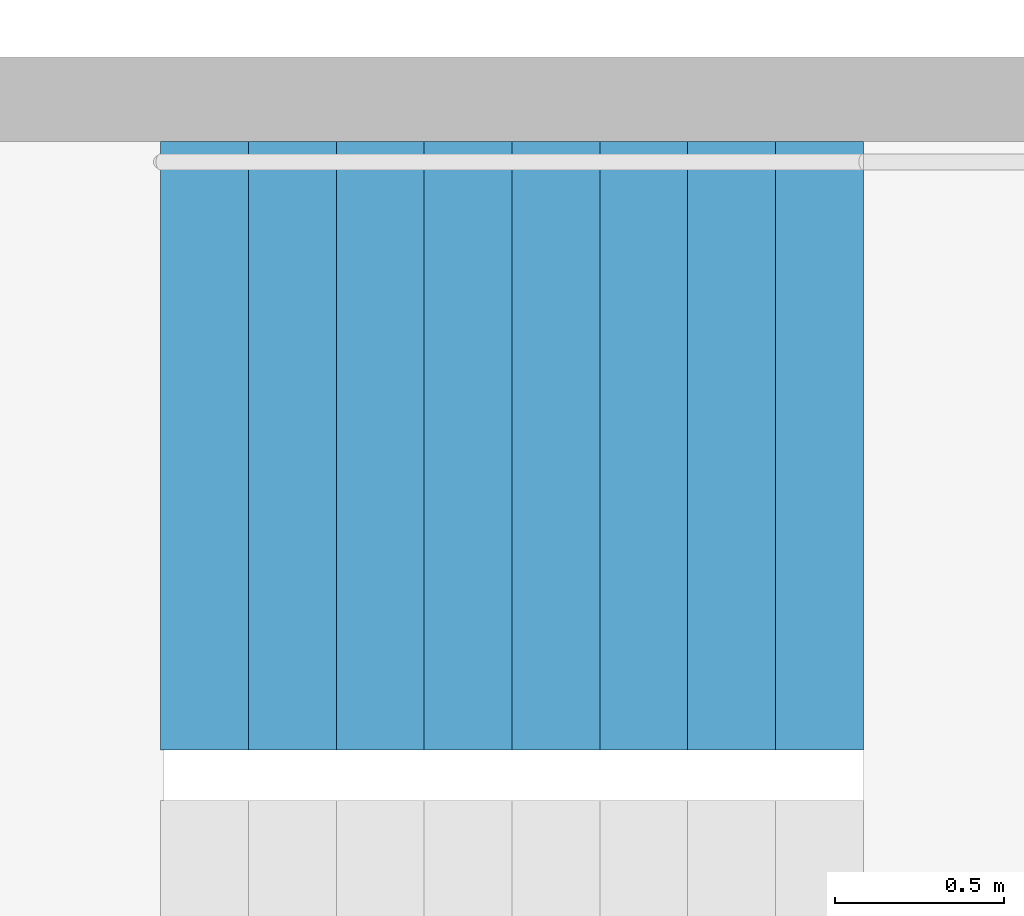
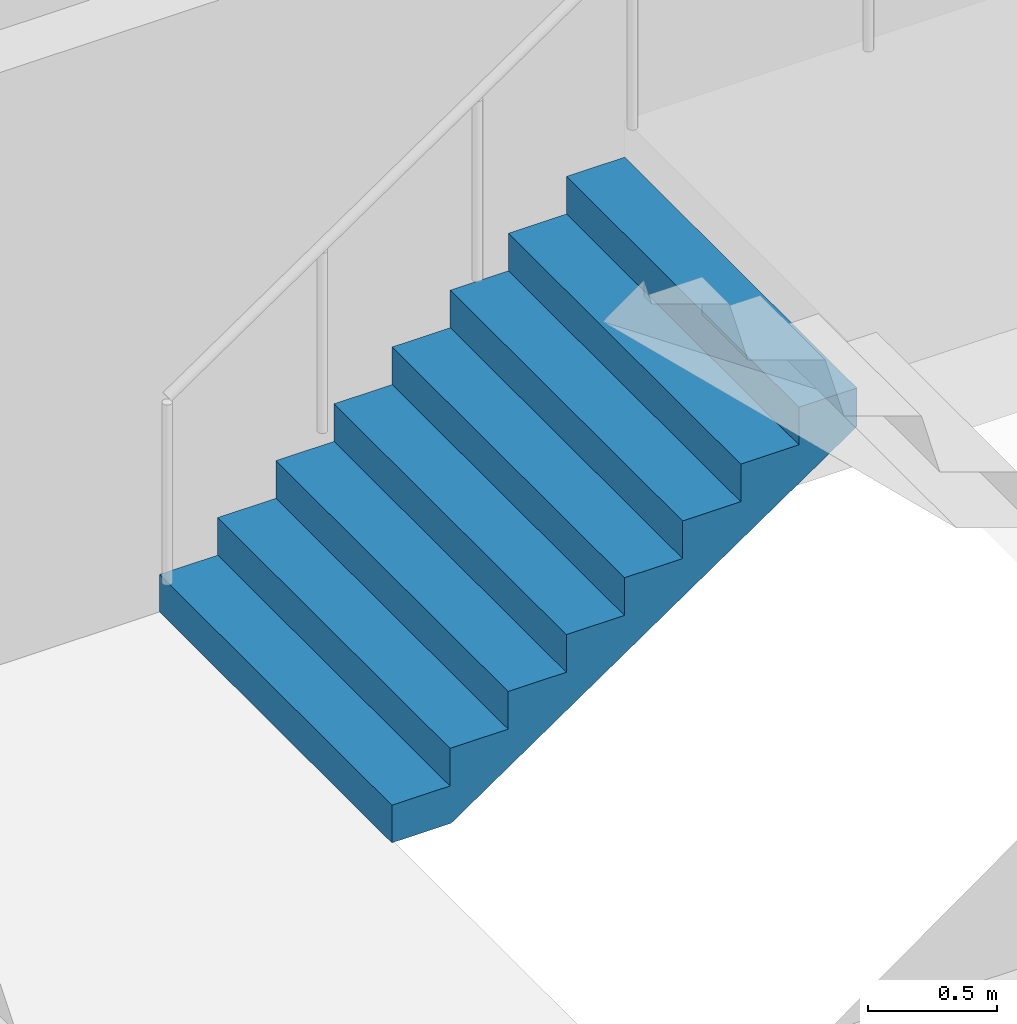
# One storey, part 27 of 37: 1 stair flight, 1 element without a shape of its own.
"""IFC4 building model written with IfcOpenShell, lengths in metres."""

from ifc_helpers import new_model, si_unit, direction, frame, origin, place, context, subcontext, project, spatial, triangles, material, type_object, element, aggregate, save


model = new_model("IFC4")

# Units and contexts
model_context = context("Model", 3, precision=1e-05, world=origin(), true_north=direction((0.0, 1.0)))
body_context = subcontext(model_context, "Body", "Model", "MODEL_VIEW")
ifc_project = project(units=[si_unit("LENGTHUNIT", "METRE"), si_unit("AREAUNIT", "SQUARE_METRE"), si_unit("VOLUMEUNIT", "CUBIC_METRE"), si_unit("PLANEANGLEUNIT", "RADIAN"), si_unit("MASSUNIT", "GRAM", prefix="KILO")], contexts=[model_context])

# Site, building, storey
site_placement = place(None, origin())
site = spatial("IfcSite", under=ifc_project, at=site_placement, CompositionType="ELEMENT")
building_placement = place(site_placement, origin())
building = spatial("IfcBuilding", under=site, at=building_placement, Name="Hakoniwa Tower and Hamabe Station Hall", CompositionType="ELEMENT")
storey_placement = place(building_placement, frame((0.0, 0.0, 39.0)))
storey = spatial("IfcBuildingStorey", under=building, at=storey_placement, Name="L10", CompositionType="ELEMENT", Elevation=39.0)

# Stair, stair flight
ifc_material_1 = material(Name="Concrete C40", Category="concrete")
stair_type = type_object("IfcStairType", Name="ESCAPE STAIR 1800", PredefinedType="HALF_TURN_STAIR", material=ifc_material_1)
stair_placement = place(storey_placement, origin())
stair = element("IfcStair", 1, at=stair_placement, inside=storey, type_object=stair_type, Name="Escape stair ST-4 L10", PredefinedType="HALF_TURN_STAIR")
ifc_material_2 = material(Name="Concrete C40", Category="concrete")
stair_flight_type = type_object("IfcStairFlightType", Name="STAIR FLIGHT 1800", PredefinedType="STRAIGHT", material=ifc_material_2)
stair_flight_placement = place(storey_placement, frame((23.39990234375, -4.64990234375, 0.0), z_axis=(0.0, 0.0, 1.0), x_axis=(1.0, 0.0, 0.0)))
stair_flight = element("IfcStairFlight", 2, at=stair_flight_placement, type_object=stair_flight_type, Name="ST-4 flight 1", NumberOfRisers=9, NumberOfTreads=8, PredefinedType="STRAIGHT", RiserHeight=0.177777778, TreadLength=0.26, context=body_context, shape_type="Tessellation", body=[
    triangles([(0.0, 0.89990234375, 0.0), (0.260009765625, 0.89990234375, 0.0), (0.265625, 0.89990234375, 0.0), (0.52001953125, 0.89990234375, 0.174072265625), (0.780029296875, 0.89990234375, 0.351806640625), (1.0400390625, 0.89990234375, 0.529541015625), (1.300048828125, 0.89990234375, 0.707275390625), (1.56005859375, 0.89990234375, 0.885009765625), (1.820068359375, 0.89990234375, 1.062744140625), (2.080078125, 0.89990234375, 1.24072265625), (2.080078125, 0.89990234375, 1.422119140625), (1.820068359375, 0.89990234375, 1.422119140625), (1.820068359375, 0.89990234375, 1.244384765625), (1.56005859375, 0.89990234375, 1.244384765625), (1.56005859375, 0.89990234375, 1.066650390625), (1.300048828125, 0.89990234375, 1.066650390625), (1.300048828125, 0.89990234375, 0.888916015625), (1.0400390625, 0.89990234375, 0.888916015625), (1.0400390625, 0.89990234375, 0.711181640625), (0.780029296875, 0.89990234375, 0.711181640625), (0.780029296875, 0.89990234375, 0.533447265625), (0.52001953125, 0.89990234375, 0.533447265625), (0.52001953125, 0.89990234375, 0.35546875), (0.265625, 0.89990234375, 0.35546875), (0.260009765625, 0.89990234375, 0.35546875), (0.260009765625, 0.89990234375, 0.177734375), (0.0, 0.89990234375, 0.177734375), (0.0, 0.06005859375, 0.0), (0.260009765625, 0.06005859375, 0.0), (0.265625, 0.06005859375, 0.0), (0.52001953125, 0.06005859375, 0.174072265625), (0.780029296875, 0.06005859375, 0.351806640625), (1.0400390625, 0.06005859375, 0.529541015625), (1.300048828125, 0.06005859375, 0.707275390625), (1.56005859375, 0.06005859375, 0.885009765625), (1.820068359375, 0.06005859375, 1.062744140625), (2.080078125, 0.06005859375, 1.24072265625), (2.080078125, 0.06005859375, 1.422119140625), (1.820068359375, 0.06005859375, 1.422119140625), (1.820068359375, 0.06005859375, 1.244384765625), (1.56005859375, 0.06005859375, 1.244384765625), (1.56005859375, 0.06005859375, 1.066650390625), (1.300048828125, 0.06005859375, 1.066650390625), (1.300048828125, 0.06005859375, 0.888916015625), (1.0400390625, 0.06005859375, 0.888916015625), (1.0400390625, 0.06005859375, 0.711181640625), (0.780029296875, 0.06005859375, 0.711181640625), (0.780029296875, 0.06005859375, 0.533447265625), (0.52001953125, 0.06005859375, 0.533447265625), (0.52001953125, 0.06005859375, 0.35546875), (0.265625, 0.06005859375, 0.35546875), (0.260009765625, 0.06005859375, 0.35546875), (0.260009765625, 0.06005859375, 0.177734375), (0.0, 0.06005859375, 0.177734375), (0.0, 0.04296875, 0.0), (0.260009765625, 0.04296875, 0.0), (0.265625, 0.04296875, 0.0), (0.52001953125, 0.04296875, 0.174072265625), (0.780029296875, 0.04296875, 0.351806640625), (1.0400390625, 0.04296875, 0.529541015625), (1.300048828125, 0.04296875, 0.707275390625), (1.56005859375, 0.04296875, 0.885009765625), (1.820068359375, 0.04296875, 1.062744140625), (2.080078125, 0.04296875, 1.24072265625), (2.080078125, 0.04296875, 1.422119140625), (1.820068359375, 0.04296875, 1.422119140625), (1.820068359375, 0.04296875, 1.244384765625), (1.56005859375, 0.04296875, 1.244384765625), (1.56005859375, 0.04296875, 1.066650390625), (1.300048828125, 0.04296875, 1.066650390625), (1.300048828125, 0.04296875, 0.888916015625), (1.0400390625, 0.04296875, 0.888916015625), (1.0400390625, 0.04296875, 0.711181640625), (0.780029296875, 0.04296875, 0.711181640625), (0.780029296875, 0.04296875, 0.533447265625), (0.52001953125, 0.04296875, 0.533447265625), (0.52001953125, 0.04296875, 0.35546875), (0.265625, 0.04296875, 0.35546875), (0.260009765625, 0.04296875, 0.35546875), (0.260009765625, 0.04296875, 0.177734375), (0.0, 0.04296875, 0.177734375), (0.0, 0.025634765625, 0.0), (0.260009765625, 0.025634765625, 0.0), (0.265625, 0.025634765625, 0.0), (0.52001953125, 0.025634765625, 0.174072265625), (0.780029296875, 0.025634765625, 0.351806640625), (1.0400390625, 0.025634765625, 0.529541015625), (1.300048828125, 0.025634765625, 0.707275390625), (1.56005859375, 0.025634765625, 0.885009765625), (1.820068359375, 0.025634765625, 1.062744140625), (2.080078125, 0.025634765625, 1.24072265625), (2.080078125, 0.025634765625, 1.422119140625), (1.820068359375, 0.025634765625, 1.422119140625), (1.820068359375, 0.025634765625, 1.244384765625), (1.56005859375, 0.025634765625, 1.244384765625), (1.56005859375, 0.025634765625, 1.066650390625), (1.300048828125, 0.025634765625, 1.066650390625), (1.300048828125, 0.025634765625, 0.888916015625), (1.0400390625, 0.025634765625, 0.888916015625), (1.0400390625, 0.025634765625, 0.711181640625), (0.780029296875, 0.025634765625, 0.711181640625), (0.780029296875, 0.025634765625, 0.533447265625), (0.52001953125, 0.025634765625, 0.533447265625), (0.52001953125, 0.025634765625, 0.35546875), (0.265625, 0.025634765625, 0.35546875), (0.260009765625, 0.025634765625, 0.35546875), (0.260009765625, 0.025634765625, 0.177734375), (0.0, 0.025634765625, 0.177734375), (0.0, 0.008544921875, 0.0), (0.260009765625, 0.008544921875, 0.0), (0.265625, 0.008544921875, 0.0), (0.52001953125, 0.008544921875, 0.174072265625), (0.780029296875, 0.008544921875, 0.351806640625), (1.0400390625, 0.008544921875, 0.529541015625), (1.300048828125, 0.008544921875, 0.707275390625), (1.56005859375, 0.008544921875, 0.885009765625), (1.820068359375, 0.008544921875, 1.062744140625), (2.080078125, 0.008544921875, 1.24072265625), (2.080078125, 0.008544921875, 1.422119140625), (1.820068359375, 0.008544921875, 1.422119140625), (1.820068359375, 0.008544921875, 1.244384765625), (1.56005859375, 0.008544921875, 1.244384765625), (1.56005859375, 0.008544921875, 1.066650390625), (1.300048828125, 0.008544921875, 1.066650390625), (1.300048828125, 0.008544921875, 0.888916015625), (1.0400390625, 0.008544921875, 0.888916015625), (1.0400390625, 0.008544921875, 0.711181640625), (0.780029296875, 0.008544921875, 0.711181640625), (0.780029296875, 0.008544921875, 0.533447265625), (0.52001953125, 0.008544921875, 0.533447265625), (0.52001953125, 0.008544921875, 0.35546875), (0.265625, 0.008544921875, 0.35546875), (0.260009765625, 0.008544921875, 0.35546875), (0.260009765625, 0.008544921875, 0.177734375), (0.0, 0.008544921875, 0.177734375), (0.0, -0.008544921875, 0.0), (0.260009765625, -0.008544921875, 0.0), (0.265625, -0.008544921875, 0.0), (0.52001953125, -0.008544921875, 0.174072265625), (0.780029296875, -0.008544921875, 0.351806640625), (1.0400390625, -0.008544921875, 0.529541015625), (1.300048828125, -0.008544921875, 0.707275390625), (1.56005859375, -0.008544921875, 0.885009765625), (1.820068359375, -0.008544921875, 1.062744140625), (2.080078125, -0.008544921875, 1.24072265625), (2.080078125, -0.008544921875, 1.422119140625), (1.820068359375, -0.008544921875, 1.422119140625), (1.820068359375, -0.008544921875, 1.244384765625), (1.56005859375, -0.008544921875, 1.244384765625), (1.56005859375, -0.008544921875, 1.066650390625), (1.300048828125, -0.008544921875, 1.066650390625), (1.300048828125, -0.008544921875, 0.888916015625), (1.0400390625, -0.008544921875, 0.888916015625), (1.0400390625, -0.008544921875, 0.711181640625), (0.780029296875, -0.008544921875, 0.711181640625), (0.780029296875, -0.008544921875, 0.533447265625), (0.52001953125, -0.008544921875, 0.533447265625), (0.52001953125, -0.008544921875, 0.35546875), (0.265625, -0.008544921875, 0.35546875), (0.260009765625, -0.008544921875, 0.35546875), (0.260009765625, -0.008544921875, 0.177734375), (0.0, -0.008544921875, 0.177734375), (0.0, -0.025634765625, 0.0), (0.260009765625, -0.025634765625, 0.0), (0.265625, -0.025634765625, 0.0), (0.52001953125, -0.025634765625, 0.174072265625), (0.780029296875, -0.025634765625, 0.351806640625), (1.0400390625, -0.025634765625, 0.529541015625), (1.300048828125, -0.025634765625, 0.707275390625), (1.56005859375, -0.025634765625, 0.885009765625), (1.820068359375, -0.025634765625, 1.062744140625), (2.080078125, -0.025634765625, 1.24072265625), (2.080078125, -0.025634765625, 1.422119140625), (1.820068359375, -0.025634765625, 1.422119140625), (1.820068359375, -0.025634765625, 1.244384765625), (1.56005859375, -0.025634765625, 1.244384765625), (1.56005859375, -0.025634765625, 1.066650390625), (1.300048828125, -0.025634765625, 1.066650390625), (1.300048828125, -0.025634765625, 0.888916015625), (1.0400390625, -0.025634765625, 0.888916015625), (1.0400390625, -0.025634765625, 0.711181640625), (0.780029296875, -0.025634765625, 0.711181640625), (0.780029296875, -0.025634765625, 0.533447265625), (0.52001953125, -0.025634765625, 0.533447265625), (0.52001953125, -0.025634765625, 0.35546875), (0.265625, -0.025634765625, 0.35546875), (0.260009765625, -0.025634765625, 0.35546875), (0.260009765625, -0.025634765625, 0.177734375), (0.0, -0.025634765625, 0.177734375), (0.0, -0.04296875, 0.0), (0.260009765625, -0.04296875, 0.0), (0.265625, -0.04296875, 0.0), (0.52001953125, -0.04296875, 0.174072265625), (0.780029296875, -0.04296875, 0.351806640625), (1.0400390625, -0.04296875, 0.529541015625), (1.300048828125, -0.04296875, 0.707275390625), (1.56005859375, -0.04296875, 0.885009765625), (1.820068359375, -0.04296875, 1.062744140625), (2.080078125, -0.04296875, 1.24072265625), (2.080078125, -0.04296875, 1.422119140625), (1.820068359375, -0.04296875, 1.422119140625), (1.820068359375, -0.04296875, 1.244384765625), (1.56005859375, -0.04296875, 1.244384765625), (1.56005859375, -0.04296875, 1.066650390625), (1.300048828125, -0.04296875, 1.066650390625), (1.300048828125, -0.04296875, 0.888916015625), (1.0400390625, -0.04296875, 0.888916015625), (1.0400390625, -0.04296875, 0.711181640625), (0.780029296875, -0.04296875, 0.711181640625), (0.780029296875, -0.04296875, 0.533447265625), (0.52001953125, -0.04296875, 0.533447265625), (0.52001953125, -0.04296875, 0.35546875), (0.265625, -0.04296875, 0.35546875), (0.260009765625, -0.04296875, 0.35546875), (0.260009765625, -0.04296875, 0.177734375), (0.0, -0.04296875, 0.177734375), (0.0, -0.06005859375, 0.0), (0.260009765625, -0.06005859375, 0.0), (0.265625, -0.06005859375, 0.0), (0.52001953125, -0.06005859375, 0.174072265625), (0.780029296875, -0.06005859375, 0.351806640625), (1.0400390625, -0.06005859375, 0.529541015625), (1.300048828125, -0.06005859375, 0.707275390625), (1.56005859375, -0.06005859375, 0.885009765625), (1.820068359375, -0.06005859375, 1.062744140625), (2.080078125, -0.06005859375, 1.24072265625), (2.080078125, -0.06005859375, 1.422119140625), (1.820068359375, -0.06005859375, 1.422119140625), (1.820068359375, -0.06005859375, 1.244384765625), (1.56005859375, -0.06005859375, 1.244384765625), (1.56005859375, -0.06005859375, 1.066650390625), (1.300048828125, -0.06005859375, 1.066650390625), (1.300048828125, -0.06005859375, 0.888916015625), (1.0400390625, -0.06005859375, 0.888916015625), (1.0400390625, -0.06005859375, 0.711181640625), (0.780029296875, -0.06005859375, 0.711181640625), (0.780029296875, -0.06005859375, 0.533447265625), (0.52001953125, -0.06005859375, 0.533447265625), (0.52001953125, -0.06005859375, 0.35546875), (0.265625, -0.06005859375, 0.35546875), (0.260009765625, -0.06005859375, 0.35546875), (0.260009765625, -0.06005859375, 0.177734375), (0.0, -0.06005859375, 0.177734375), (0.0, -0.89990234375, 0.0), (0.260009765625, -0.89990234375, 0.0), (0.265625, -0.89990234375, 0.0), (0.52001953125, -0.89990234375, 0.174072265625), (0.780029296875, -0.89990234375, 0.351806640625), (1.0400390625, -0.89990234375, 0.529541015625), (1.300048828125, -0.89990234375, 0.707275390625), (1.56005859375, -0.89990234375, 0.885009765625), (1.820068359375, -0.89990234375, 1.062744140625), (2.080078125, -0.89990234375, 1.24072265625), (2.080078125, -0.89990234375, 1.422119140625), (1.820068359375, -0.89990234375, 1.422119140625), (1.820068359375, -0.89990234375, 1.244384765625), (1.56005859375, -0.89990234375, 1.244384765625), (1.56005859375, -0.89990234375, 1.066650390625), (1.300048828125, -0.89990234375, 1.066650390625), (1.300048828125, -0.89990234375, 0.888916015625), (1.0400390625, -0.89990234375, 0.888916015625), (1.0400390625, -0.89990234375, 0.711181640625), (0.780029296875, -0.89990234375, 0.711181640625), (0.780029296875, -0.89990234375, 0.533447265625), (0.52001953125, -0.89990234375, 0.533447265625), (0.52001953125, -0.89990234375, 0.35546875), (0.265625, -0.89990234375, 0.35546875), (0.260009765625, -0.89990234375, 0.35546875), (0.260009765625, -0.89990234375, 0.177734375), (0.0, -0.89990234375, 0.177734375)], [[2, 27, 26], [245, 269, 270], [2, 1, 27], [245, 270, 244], [3, 25, 24], [246, 267, 268], [3, 26, 25], [246, 268, 269], [3, 2, 26], [246, 269, 245], [4, 24, 23], [247, 266, 267], [4, 3, 24], [247, 267, 246], [5, 22, 21], [248, 264, 265], [5, 23, 22], [248, 265, 266], [5, 4, 23], [248, 266, 247], [6, 20, 19], [249, 262, 263], [6, 21, 20], [249, 263, 264], [6, 5, 21], [249, 264, 248], [7, 18, 17], [250, 260, 261], [7, 19, 18], [250, 261, 262], [7, 6, 19], [250, 262, 249], [8, 16, 15], [251, 258, 259], [8, 17, 16], [251, 259, 260], [8, 7, 17], [251, 260, 250], [9, 14, 13], [252, 256, 257], [9, 15, 14], [252, 257, 258], [9, 8, 15], [252, 258, 251], [10, 12, 11], [253, 254, 255], [10, 13, 12], [253, 255, 256], [10, 9, 13], [253, 256, 252], [1, 2, 29], [1, 29, 28], [28, 29, 56], [28, 56, 55], [55, 56, 83], [55, 83, 82], [82, 83, 110], [82, 110, 109], [109, 110, 137], [109, 137, 136], [136, 137, 164], [136, 164, 163], [163, 164, 191], [163, 191, 190], [190, 191, 218], [190, 218, 217], [217, 218, 245], [217, 245, 244], [2, 3, 30], [2, 30, 29], [29, 30, 57], [29, 57, 56], [56, 57, 84], [56, 84, 83], [83, 84, 111], [83, 111, 110], [110, 111, 138], [110, 138, 137], [137, 138, 165], [137, 165, 164], [164, 165, 192], [164, 192, 191], [191, 192, 219], [191, 219, 218], [218, 219, 246], [218, 246, 245], [3, 4, 31], [3, 31, 30], [30, 31, 58], [30, 58, 57], [57, 58, 85], [57, 85, 84], [84, 85, 112], [84, 112, 111], [111, 112, 139], [111, 139, 138], [138, 139, 166], [138, 166, 165], [165, 166, 193], [165, 193, 192], [192, 193, 220], [192, 220, 219], [219, 220, 247], [219, 247, 246], [4, 5, 32], [4, 32, 31], [31, 32, 59], [31, 59, 58], [58, 59, 86], [58, 86, 85], [85, 86, 113], [85, 113, 112], [112, 113, 140], [112, 140, 139], [139, 140, 167], [139, 167, 166], [166, 167, 194], [166, 194, 193], [193, 194, 221], [193, 221, 220], [220, 221, 248], [220, 248, 247], [5, 6, 33], [5, 33, 32], [32, 33, 60], [32, 60, 59], [59, 60, 87], [59, 87, 86], [86, 87, 114], [86, 114, 113], [113, 114, 141], [113, 141, 140], [140, 141, 168], [140, 168, 167], [167, 168, 195], [167, 195, 194], [194, 195, 222], [194, 222, 221], [221, 222, 249], [221, 249, 248], [6, 7, 34], [6, 34, 33], [33, 34, 61], [33, 61, 60], [60, 61, 88], [60, 88, 87], [87, 88, 115], [87, 115, 114], [114, 115, 142], [114, 142, 141], [141, 142, 169], [141, 169, 168], [168, 169, 196], [168, 196, 195], [195, 196, 223], [195, 223, 222], [222, 223, 250], [222, 250, 249], [7, 8, 35], [7, 35, 34], [34, 35, 62], [34, 62, 61], [61, 62, 89], [61, 89, 88], [88, 89, 116], [88, 116, 115], [115, 116, 143], [115, 143, 142], [142, 143, 170], [142, 170, 169], [169, 170, 197], [169, 197, 196], [196, 197, 224], [196, 224, 223], [223, 224, 251], [223, 251, 250], [8, 9, 36], [8, 36, 35], [35, 36, 63], [35, 63, 62], [62, 63, 90], [62, 90, 89], [89, 90, 117], [89, 117, 116], [116, 117, 144], [116, 144, 143], [143, 144, 171], [143, 171, 170], [170, 171, 198], [170, 198, 197], [197, 198, 225], [197, 225, 224], [224, 225, 252], [224, 252, 251], [9, 10, 37], [9, 37, 36], [36, 37, 64], [36, 64, 63], [63, 64, 91], [63, 91, 90], [90, 91, 118], [90, 118, 117], [117, 118, 145], [117, 145, 144], [144, 145, 172], [144, 172, 171], [171, 172, 199], [171, 199, 198], [198, 199, 226], [198, 226, 225], [225, 226, 253], [225, 253, 252], [10, 11, 38], [10, 38, 37], [37, 38, 65], [37, 65, 64], [64, 65, 92], [64, 92, 91], [91, 92, 119], [91, 119, 118], [118, 119, 146], [118, 146, 145], [145, 146, 173], [145, 173, 172], [172, 173, 200], [172, 200, 199], [199, 200, 227], [199, 227, 226], [226, 227, 254], [226, 254, 253], [11, 12, 39], [11, 39, 38], [38, 39, 66], [38, 66, 65], [65, 66, 93], [65, 93, 92], [92, 93, 120], [92, 120, 119], [119, 120, 147], [119, 147, 146], [146, 147, 174], [146, 174, 173], [173, 174, 201], [173, 201, 200], [200, 201, 228], [200, 228, 227], [227, 228, 255], [227, 255, 254], [12, 13, 40], [12, 40, 39], [39, 40, 67], [39, 67, 66], [66, 67, 94], [66, 94, 93], [93, 94, 121], [93, 121, 120], [120, 121, 148], [120, 148, 147], [147, 148, 175], [147, 175, 174], [174, 175, 202], [174, 202, 201], [201, 202, 229], [201, 229, 228], [228, 229, 256], [228, 256, 255], [13, 14, 41], [13, 41, 40], [40, 41, 68], [40, 68, 67], [67, 68, 95], [67, 95, 94], [94, 95, 122], [94, 122, 121], [121, 122, 149], [121, 149, 148], [148, 149, 176], [148, 176, 175], [175, 176, 203], [175, 203, 202], [202, 203, 230], [202, 230, 229], [229, 230, 257], [229, 257, 256], [14, 15, 42], [14, 42, 41], [41, 42, 69], [41, 69, 68], [68, 69, 96], [68, 96, 95], [95, 96, 123], [95, 123, 122], [122, 123, 150], [122, 150, 149], [149, 150, 177], [149, 177, 176], [176, 177, 204], [176, 204, 203], [203, 204, 231], [203, 231, 230], [230, 231, 258], [230, 258, 257], [15, 16, 43], [15, 43, 42], [42, 43, 70], [42, 70, 69], [69, 70, 97], [69, 97, 96], [96, 97, 124], [96, 124, 123], [123, 124, 151], [123, 151, 150], [150, 151, 178], [150, 178, 177], [177, 178, 205], [177, 205, 204], [204, 205, 232], [204, 232, 231], [231, 232, 259], [231, 259, 258], [16, 17, 44], [16, 44, 43], [43, 44, 71], [43, 71, 70], [70, 71, 98], [70, 98, 97], [97, 98, 125], [97, 125, 124], [124, 125, 152], [124, 152, 151], [151, 152, 179], [151, 179, 178], [178, 179, 206], [178, 206, 205], [205, 206, 233], [205, 233, 232], [232, 233, 260], [232, 260, 259], [17, 18, 45], [17, 45, 44], [44, 45, 72], [44, 72, 71], [71, 72, 99], [71, 99, 98], [98, 99, 126], [98, 126, 125], [125, 126, 153], [125, 153, 152], [152, 153, 180], [152, 180, 179], [179, 180, 207], [179, 207, 206], [206, 207, 234], [206, 234, 233], [233, 234, 261], [233, 261, 260], [18, 19, 46], [18, 46, 45], [45, 46, 73], [45, 73, 72], [72, 73, 100], [72, 100, 99], [99, 100, 127], [99, 127, 126], [126, 127, 154], [126, 154, 153], [153, 154, 181], [153, 181, 180], [180, 181, 208], [180, 208, 207], [207, 208, 235], [207, 235, 234], [234, 235, 262], [234, 262, 261], [19, 20, 47], [19, 47, 46], [46, 47, 74], [46, 74, 73], [73, 74, 101], [73, 101, 100], [100, 101, 128], [100, 128, 127], [127, 128, 155], [127, 155, 154], [154, 155, 182], [154, 182, 181], [181, 182, 209], [181, 209, 208], [208, 209, 236], [208, 236, 235], [235, 236, 263], [235, 263, 262], [20, 21, 48], [20, 48, 47], [47, 48, 75], [47, 75, 74], [74, 75, 102], [74, 102, 101], [101, 102, 129], [101, 129, 128], [128, 129, 156], [128, 156, 155], [155, 156, 183], [155, 183, 182], [182, 183, 210], [182, 210, 209], [209, 210, 237], [209, 237, 236], [236, 237, 264], [236, 264, 263], [21, 22, 49], [21, 49, 48], [48, 49, 76], [48, 76, 75], [75, 76, 103], [75, 103, 102], [102, 103, 130], [102, 130, 129], [129, 130, 157], [129, 157, 156], [156, 157, 184], [156, 184, 183], [183, 184, 211], [183, 211, 210], [210, 211, 238], [210, 238, 237], [237, 238, 265], [237, 265, 264], [22, 23, 50], [22, 50, 49], [49, 50, 77], [49, 77, 76], [76, 77, 104], [76, 104, 103], [103, 104, 131], [103, 131, 130], [130, 131, 158], [130, 158, 157], [157, 158, 185], [157, 185, 184], [184, 185, 212], [184, 212, 211], [211, 212, 239], [211, 239, 238], [238, 239, 266], [238, 266, 265], [23, 24, 51], [23, 51, 50], [50, 51, 78], [50, 78, 77], [77, 78, 105], [77, 105, 104], [104, 105, 132], [104, 132, 131], [131, 132, 159], [131, 159, 158], [158, 159, 186], [158, 186, 185], [185, 186, 213], [185, 213, 212], [212, 213, 240], [212, 240, 239], [239, 240, 267], [239, 267, 266], [24, 25, 52], [24, 52, 51], [51, 52, 79], [51, 79, 78], [78, 79, 106], [78, 106, 105], [105, 106, 133], [105, 133, 132], [132, 133, 160], [132, 160, 159], [159, 160, 187], [159, 187, 186], [186, 187, 214], [186, 214, 213], [213, 214, 241], [213, 241, 240], [240, 241, 268], [240, 268, 267], [25, 26, 53], [25, 53, 52], [52, 53, 80], [52, 80, 79], [79, 80, 107], [79, 107, 106], [106, 107, 134], [106, 134, 133], [133, 134, 161], [133, 161, 160], [160, 161, 188], [160, 188, 187], [187, 188, 215], [187, 215, 214], [214, 215, 242], [214, 242, 241], [241, 242, 269], [241, 269, 268], [26, 27, 54], [26, 54, 53], [53, 54, 81], [53, 81, 80], [80, 81, 108], [80, 108, 107], [107, 108, 135], [107, 135, 134], [134, 135, 162], [134, 162, 161], [161, 162, 189], [161, 189, 188], [188, 189, 216], [188, 216, 215], [215, 216, 243], [215, 243, 242], [242, 243, 270], [242, 270, 269], [27, 1, 28], [27, 28, 54], [54, 28, 55], [54, 55, 81], [81, 55, 82], [81, 82, 108], [108, 82, 109], [108, 109, 135], [135, 109, 136], [135, 136, 162], [162, 136, 163], [162, 163, 189], [189, 163, 190], [189, 190, 216], [216, 190, 217], [216, 217, 243], [243, 217, 244], [243, 244, 270]], closed=True),
])
aggregate(stair, [stair_flight])

save(model, "model.ifc")
